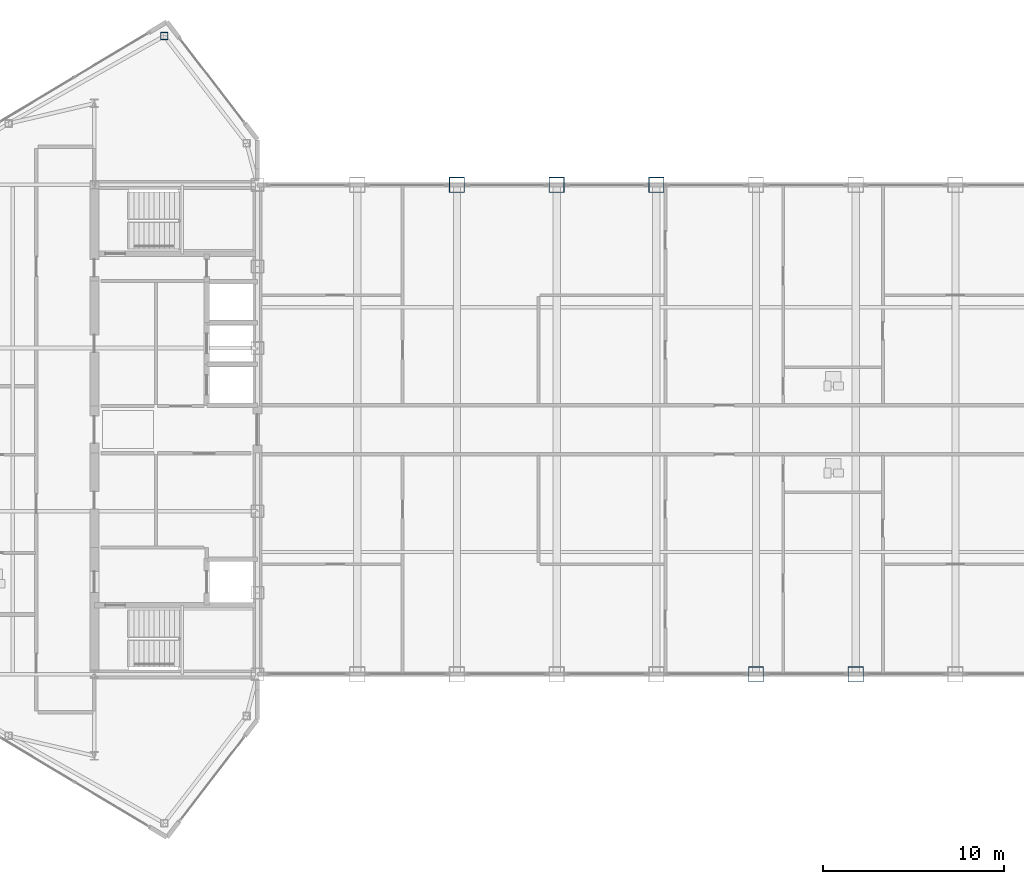
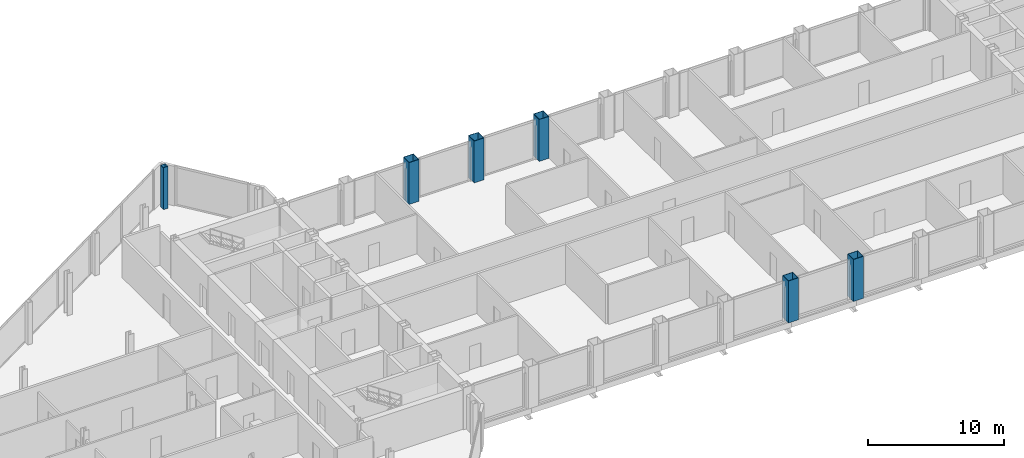
# One storey, part 3 of 29: 6 columns.
"""IFC4 building model written with IfcOpenShell, lengths in metres."""

from ifc_helpers import new_model, si_unit, direction, frame, origin, origin_2d, place, context, subcontext, project, spatial, hollow_rectangle, extrude, source, transform, mapped, material, material_profile, profile_set, type_object, type_shapes, element, save


model = new_model("IFC4")

# Units and contexts
model_context = context("Model", 3, precision=1e-05, world=origin(), true_north=direction((0.0, 1.0)))
body_context = subcontext(model_context, "Body", "Model", "MODEL_VIEW")
ifc_project = project(units=[si_unit("LENGTHUNIT", "METRE"), si_unit("AREAUNIT", "SQUARE_METRE"), si_unit("VOLUMEUNIT", "CUBIC_METRE"), si_unit("PLANEANGLEUNIT", "RADIAN"), si_unit("MASSUNIT", "GRAM", prefix="KILO")], contexts=[model_context])

# Site, building, storey
site_placement = place(None, origin())
site = spatial("IfcSite", under=ifc_project, at=site_placement, CompositionType="ELEMENT")
building_placement = place(site_placement, origin())
building = spatial("IfcBuilding", under=site, at=building_placement, Name="Seokmaru Belvedere", CompositionType="ELEMENT")
storey_placement = place(building_placement, frame((0.0, 0.0, 246.89990234375)))
storey = spatial("IfcBuildingStorey", under=building, at=storey_placement, Name="L65", CompositionType="ELEMENT", Elevation=246.89990234375)

# Columns
ifc_material_1 = material(Name="Steel SM355 (355 MPa)", Category="steel")
ifc_material_profile_1 = material_profile(ifc_material_1, hollow_rectangle(XDim=0.39990234375, YDim=0.39990234375, WallThickness=0.01611328125, at=origin_2d()), Name="HSS-400x400x16")
ifc_profile_set_1 = profile_set([ifc_material_profile_1], Name="Steel SM355 (355 MPa)")
column_type_1 = type_object("IfcColumnType", Name="Perimeter Facet Column HSS-400", PredefinedType="COLUMN", material=ifc_profile_set_1)
shared_shape_1 = source(origin(), body_context, "Body", "SweptSolid", [
    extrude(hollow_rectangle(XDim=0.39990234375, YDim=0.39990234375, WallThickness=0.01611328125, at=origin_2d()), origin(), (0.0, 0.0, 1.0), 3.75),
])
type_shapes(column_type_1, [shared_shape_1])
column_placement = place(storey_placement, frame((-32.649658203125, 21.71044921875, 0.0), z_axis=(0.0, 0.0, 1.0), x_axis=(1.0, 0.0, 0.0)))
element("IfcColumn", 1, at=column_placement, inside=storey, type_object=column_type_1, Name="L65 Column WF3", PredefinedType="COLUMN", context=body_context, shape_type="MappedRepresentation", body=[
    mapped(shared_shape_1, transform((0.0, 0.0, 0.0), scale=1.0)),
])
ifc_material_2 = material(Name="Steel HSA650 (650 MPa)", Category="steel")
ifc_material_profile_2 = material_profile(ifc_material_2, hollow_rectangle(XDim=0.85009765625, YDim=0.85009765625, WallThickness=0.035888671875, at=origin_2d()), Name="BOX-850x850x36")
ifc_profile_set_2 = profile_set([ifc_material_profile_2], Name="Steel HSA650 (650 MPa)")
column_type_2 = type_object("IfcColumnType", Name="Portal Spine Column BOX-850", PredefinedType="COLUMN", material=ifc_profile_set_2)
shared_shape_2 = source(origin(), body_context, "Body", "SweptSolid", [
    extrude(hollow_rectangle(XDim=0.85009765625, YDim=0.85009765625, WallThickness=0.035888671875, at=origin_2d()), origin(), (0.0, 0.0, 1.0), 3.75),
])
type_shapes(column_type_2, [shared_shape_2])
for number, where, z_axis, x_axis, name in (
    (2, (-16.5, 13.5, 0.0), (0.0, 0.0, 1.0), (1.0, 0.0, 0.0), "L65 Column BRN_2"),
    (3, (-11.0, 13.5, 0.0), (0.0, 0.0, 1.0), (1.0, 0.0, 0.0), "L65 Column BRN_3"),
    (4, (-5.5, 13.5, 0.0), (0.0, 0.0, 1.0), (1.0, 0.0, 0.0), "L65 Column BRN_4"),
    (5, (0.0, -13.5, 0.0), (0.0, 0.0, 1.0), (1.0, 0.0, 0.0), "L65 Column BRS_5"),
    (6, (5.5, -13.5, 0.0), (0.0, 0.0, 1.0), (1.0, 0.0, 0.0), "L65 Column BRS_6"),
):
    element("IfcColumn", number, at=place(storey_placement, frame(where, z_axis=z_axis, x_axis=x_axis)), inside=storey, type_object=column_type_2, Name=name, PredefinedType="COLUMN", context=body_context, shape_type="MappedRepresentation", body=[
        mapped(shared_shape_2, transform((0.0, 0.0, 0.0), scale=1.0)),
    ])

save(model, "model.ifc")
